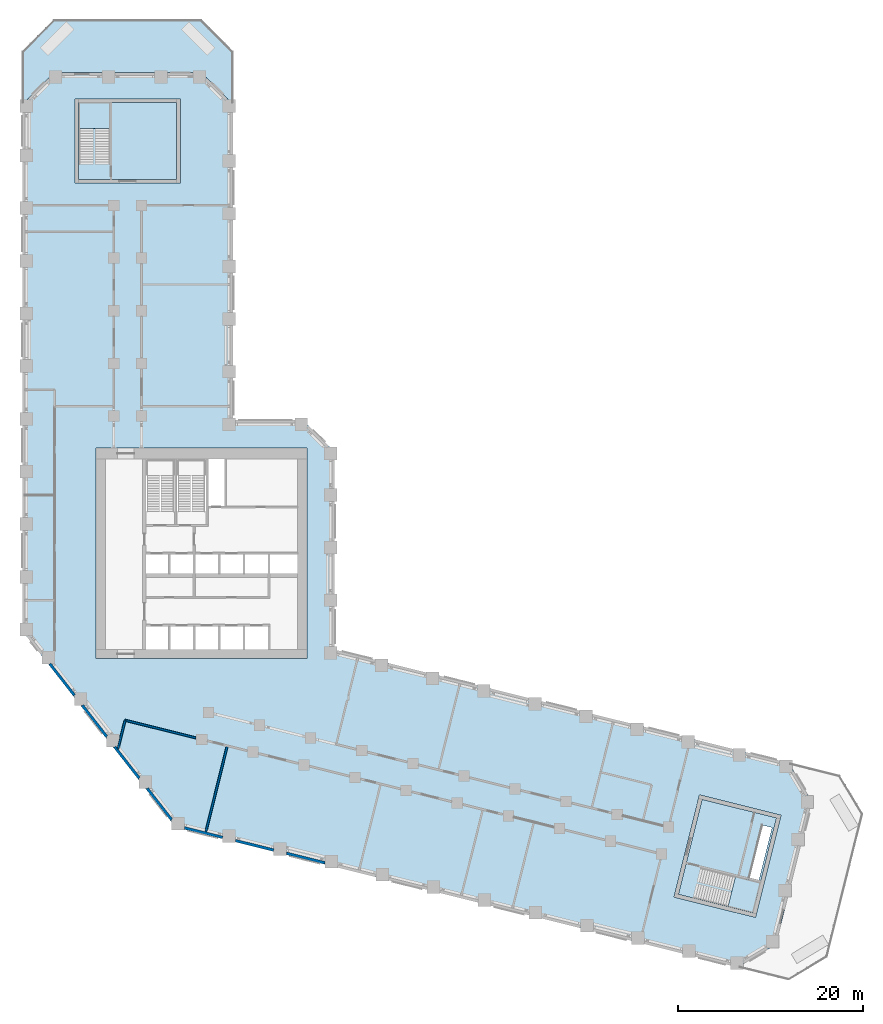
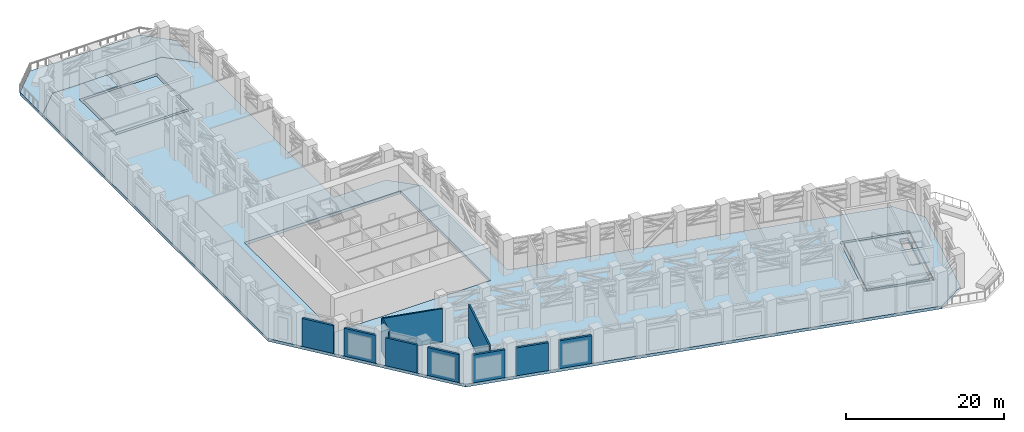
# One storey, part 6 of 14: 10 walls, 6 slabs, 2 elements without a shape of their own.
"""IFC4 building model written with IfcOpenShell, lengths in metres."""

import ifcopenshell
import ifcopenshell.guid

model = None  # the IFC model being written
_history = None  # IfcOwnerHistory: only IFC2X3 demands one
_inside = {}  # id of a spatial element -> (the spatial element, [elements in it])
_under = {}  # id of a project, library or spatial element -> (it, [spatial elements below it])
_declared = {}  # id of a project -> (the project, [libraries it declares])
_typed = {}  # id of a type object -> (the type object, [elements of that type])
_made_of = {}  # id of a material, layer set ... -> (it, [elements and type objects made of it])


def new_model(schema):
    """Start an empty IFC model of exactly this schema.

    Asked for "IFC4X3", IfcOpenShell would pick the latest addendum, in which some entities
    have other attributes; the version numbers below select the first issue.
    IFC2X3 requires an IfcOwnerHistory on every rooted entity: one is made here for all.
    """
    global model, _history
    if schema == "IFC4X3":
        model = ifcopenshell.file(schema_version=(4, 3, 0, 0))
    else:
        model = ifcopenshell.file(schema=schema)
    _inside.clear()
    _under.clear()
    _declared.clear()
    _typed.clear()
    _made_of.clear()
    _history = None
    if model.schema == "IFC2X3":
        org = make("IfcOrganization", Name="unknown")
        user = make(
            "IfcPersonAndOrganization",
            ThePerson=make("IfcPerson", FamilyName="unknown"),
            TheOrganization=org,
        )
        app = make(
            "IfcApplication",
            ApplicationDeveloper=org,
            Version="unknown",
            ApplicationFullName="unknown",
            ApplicationIdentifier="unknown",
        )
        _history = make(
            "IfcOwnerHistory",
            OwningUser=user,
            OwningApplication=app,
            ChangeAction="ADDED",
            CreationDate=0,
        )
    return model


def make(cls, **values):
    """One entity of the class cls with the attributes given. An attribute that is None is left unset."""
    return model.create_entity(
        cls, **{name: value for name, value in values.items() if value is not None}
    )


def rooted(cls, **values):
    """An entity with a GlobalId (a new one), such as an element, a storey or a relation."""
    return make(cls, GlobalId=ifcopenshell.guid.new(), OwnerHistory=_history, **values)


def si_unit(unit_type, name, prefix=None):
    """IfcSIUnit, for example si_unit("LENGTHUNIT", "METRE", prefix="MILLI")."""
    return make("IfcSIUnit", UnitType=unit_type, Prefix=prefix, Name=name)


def assignment(units):
    """IfcUnitAssignment: the units of a project."""
    return None if units is None else make("IfcUnitAssignment", Units=units)


def point(xyz):
    """IfcCartesianPoint."""
    return None if xyz is None else make("IfcCartesianPoint", Coordinates=xyz)


def direction(xyz):
    """IfcDirection."""
    return None if xyz is None else make("IfcDirection", DirectionRatios=xyz)


def frame(location, z_axis=None, x_axis=None):
    """IfcAxis2Placement3D, a coordinate frame: its origin and axes. An axis left out is left unset."""
    return make(
        "IfcAxis2Placement3D",
        Location=point(location),
        Axis=direction(z_axis),
        RefDirection=direction(x_axis),
    )


def frame_2d(location, x_axis=None):
    """IfcAxis2Placement2D, a coordinate frame in the plane: its origin and x axis."""
    return make(
        "IfcAxis2Placement2D", Location=point(location), RefDirection=direction(x_axis)
    )


def origin():
    """The frame at (0, 0, 0) with its axes left unset."""
    return frame((0.0, 0.0, 0.0))


def place(relative_to, where):
    """IfcLocalPlacement: puts the frame where relative to a parent placement (None: the world)."""
    return make(
        "IfcLocalPlacement", PlacementRelTo=relative_to, RelativePlacement=where
    )


def context(
    kind, dimensions, precision=None, world=None, true_north=None, identifier=None
):
    """IfcGeometricRepresentationContext, for example the 3D "Model" context."""
    return make(
        "IfcGeometricRepresentationContext",
        ContextIdentifier=identifier,
        ContextType=kind,
        CoordinateSpaceDimension=dimensions,
        Precision=precision,
        WorldCoordinateSystem=world,
        TrueNorth=true_north,
    )


def subcontext(parent, identifier, kind, view, scale=None):
    """IfcGeometricRepresentationSubContext, for example "Body" below "Model"."""
    return make(
        "IfcGeometricRepresentationSubContext",
        ContextIdentifier=identifier,
        ContextType=kind,
        ParentContext=parent,
        TargetScale=scale,
        TargetView=view,
    )


def project(units=None, contexts=None):
    """IfcProject with its units and contexts."""
    return rooted(
        "IfcProject",
        Name="project",
        RepresentationContexts=contexts,
        UnitsInContext=assignment(units),
    )


def spatial(cls, under=None, at=None, **own):
    """A site, building, storey or space (cls), placed at a placement, below another one or the project."""
    s = rooted(cls, ObjectPlacement=at, **own)
    if under is not None:
        _under.setdefault(under.id(), (under, []))[1].append(s)
    return s


def polyline(points):
    """IfcPolyline through the points."""
    return make("IfcPolyline", Points=[point(p) for p in points])


def profile(cls, at=None, kind="AREA", **sizes):
    """A parametric profile (cls). Its sizes go by their IFC names, for example OverallWidth=200.0."""
    return make(cls, ProfileType=kind, Position=at, **sizes)


def rectangle(**sizes):
    """IfcRectangleProfileDef."""
    return profile("IfcRectangleProfileDef", **sizes)


def outline(outer, holes=None, kind="AREA"):
    """IfcArbitraryClosedProfileDef: a profile drawn as a closed curve; with holes, ...WithVoids."""
    if holes is None:
        return make("IfcArbitraryClosedProfileDef", ProfileType=kind, OuterCurve=outer)
    return make(
        "IfcArbitraryProfileDefWithVoids",
        ProfileType=kind,
        OuterCurve=outer,
        InnerCurves=holes,
    )


def extrude(swept, where, along, depth):
    """IfcExtrudedAreaSolid: the profile swept, set in the frame where, extruded along a direction by depth."""
    return make(
        "IfcExtrudedAreaSolid",
        SweptArea=swept,
        Position=where,
        ExtrudedDirection=direction(along),
        Depth=depth,
    )


def shape(context_of_items, identifier, shape_type, items):
    """IfcShapeRepresentation: the items that make up one representation, for example the "Body"."""
    return make(
        "IfcShapeRepresentation",
        ContextOfItems=context_of_items,
        RepresentationIdentifier=identifier,
        RepresentationType=shape_type,
        Items=items,
    )


def material(Name=None, Category=None):
    """IfcMaterial."""
    return make("IfcMaterial", Name=Name, Category=Category)


def layer(
    of_material, thickness, ventilated=None, Name=None, Category=None, Priority=None
):
    """IfcMaterialLayer: one layer of a wall or slab, of a material (None: an air gap)."""
    return make(
        "IfcMaterialLayer",
        Material=of_material,
        LayerThickness=thickness,
        IsVentilated=ventilated,
        Name=Name,
        Category=Category,
        Priority=Priority,
    )


def layer_set(layers, Name=None):
    """IfcMaterialLayerSet."""
    return make("IfcMaterialLayerSet", MaterialLayers=layers, LayerSetName=Name)


def made_of(thing, what):
    """Note that an element or type object is made of a material, layer set ...; save() writes the relation."""
    if what is not None:
        _made_of.setdefault(what.id(), (what, []))[1].append(thing)
    return thing


def type_object(cls, material=None, **own):
    """A type object (cls), such as IfcWallType, which elements share."""
    return made_of(rooted(cls, **own), material)


def element(
    cls,
    number,
    at=None,
    inside=None,
    cuts=None,
    type_object=None,
    material=None,
    context=None,
    identifier="Body",
    shape_type=None,
    held_by="IfcProductDefinitionShape",
    body=None,
    shapes=None,
    **own,
):
    """One element of the class cls, such as IfcWall. Its Tag is "e" and its number.

    at: its placement. inside: the storey or other place that contains it. cuts: it is an
    opening in that element (IfcRelVoidsElement). A single representation is given by context,
    identifier, shape_type and body (its items); several are given by shapes. held_by: the class
    of the entity that holds the representations. save() writes the other relations.
    """
    e = rooted(cls, Tag="e%d" % number, ObjectPlacement=at, **own)
    if body is not None:
        shapes = [shape(context, identifier, shape_type, body)]
    if shapes is not None:
        e.Representation = make(held_by, Representations=shapes)
    if inside is not None:
        _inside.setdefault(inside.id(), (inside, []))[1].append(e)
    if cuts is not None:
        rooted(
            "IfcRelVoidsElement", RelatingBuildingElement=cuts, RelatedOpeningElement=e
        )
    if type_object is not None:
        _typed.setdefault(type_object.id(), (type_object, []))[1].append(e)
    return made_of(e, material)


def aggregate(whole, parts):
    """IfcRelAggregates: a whole, such as a stair, and the parts it consists of."""
    return rooted("IfcRelAggregates", RelatingObject=whole, RelatedObjects=parts)


def save(model, path):
    """Write the relations noted so far, then the file.

    IfcRelAggregates (storeys below a building ...), IfcRelContainedInSpatialStructure (elements
    in a storey), IfcRelDefinesByType, IfcRelAssociatesMaterial and IfcRelDeclares: one each for
    every whole, place, type object, material and project.
    """
    for whole, parts in _under.values():
        aggregate(whole, parts)
    for where, things in _inside.values():
        rooted(
            "IfcRelContainedInSpatialStructure",
            RelatedElements=things,
            RelatingStructure=where,
        )
    for kind, things in _typed.values():
        rooted("IfcRelDefinesByType", RelatedObjects=things, RelatingType=kind)
    for what, things in _made_of.values():
        rooted("IfcRelAssociatesMaterial", RelatedObjects=things, RelatingMaterial=what)
    for by, libraries in _declared.values():
        rooted("IfcRelDeclares", RelatingContext=by, RelatedDefinitions=libraries)
    model.write(path)


model = new_model("IFC4")

# Units and contexts
model_context = context("Model", 3, precision=1e-05, world=origin(), true_north=direction((0.0, 1.0)))
body_context = subcontext(model_context, "Body", "Model", "MODEL_VIEW")
ifc_project = project(units=[si_unit("LENGTHUNIT", "METRE"), si_unit("AREAUNIT", "SQUARE_METRE"), si_unit("VOLUMEUNIT", "CUBIC_METRE"), si_unit("PLANEANGLEUNIT", "RADIAN"), si_unit("MASSUNIT", "GRAM", prefix="KILO")], contexts=[model_context])

# Site, building, storey
site_placement = place(None, origin())
site = spatial("IfcSite", under=ifc_project, at=site_placement, CompositionType="ELEMENT")
building_placement = place(site_placement, origin())
building = spatial("IfcBuilding", under=site, at=building_placement, Name="Meshkara Civic Tower", CompositionType="ELEMENT")
storey_placement = place(building_placement, frame((0.0, 0.0, 91.800048828125)))
storey = spatial("IfcBuildingStorey", under=building, at=storey_placement, Name="L20", CompositionType="ELEMENT", Elevation=91.800048828125)

# Slabs
ifc_material_1 = material(Name="Concrete C40/50", Category="concrete")
ifc_layer_1 = layer(ifc_material_1, 0.449951171875)
ifc_layer_set_1 = layer_set([ifc_layer_1], Name="Core floor slab 450 C40/50")
slab_type_1 = type_object("IfcSlabType", Name="Core floor slab 450 C40/50", PredefinedType="FLOOR", material=ifc_layer_set_1)
slab_1_placement = place(storey_placement, frame((0.0, 0.0, -0.449951171875)))
element("IfcSlab", 1, at=slab_1_placement, inside=storey, type_object=slab_type_1, Name="Core floor EA", PredefinedType="FLOOR", context=body_context, shape_type="SweptSolid", body=[
    extrude(outline(polyline([(6.10009765625, 65.969970703125), (16.699951171875, 65.969970703125), (16.699951171875, 74.27001953125), (6.10009765625, 74.27001953125), (6.10009765625, 65.969970703125)])), origin(), (0.0, 0.0, 1.0), 0.449951171875),
])
slab_2_placement = place(storey_placement, frame((0.0, 0.0, -0.449951171875)))
element("IfcSlab", 2, at=slab_2_placement, inside=storey, type_object=slab_type_1, Name="Core floor EB", PredefinedType="FLOOR", context=body_context, shape_type="SweptSolid", body=[
    extrude(outline(polyline([(73.581298828125, -1.134521484375), (81.634521484375, -3.142578125), (79.0703125, -13.427734375), (71.016845703125, -11.419677734375), (73.581298828125, -1.134521484375)]), holes=[polyline([(78.64111328125, -9.60986328125), (79.727783203125, -9.880859375), (81.149658203125, -4.177978515625), (80.06298828125, -3.906982421875), (78.64111328125, -9.60986328125)])]), origin(), (0.0, 0.0, 1.0), 0.449951171875),
])

# Stair, slab
ifc_material_2 = material(Name="Precast concrete C40/50", Category="concrete")
stair_type = type_object("IfcStairType", Name="Exit stair half-turn 30 risers 1600 precast", PredefinedType="HALF_TURN_STAIR", material=ifc_material_2)
stair_1_placement = place(storey_placement, origin())
stair_1 = element("IfcStair", 3, at=stair_1_placement, inside=storey, type_object=stair_type, Name="L20 exit stair A from L20", PredefinedType="HALF_TURN_STAIR")
ifc_material_3 = material(Name="Precast concrete C40/50", Category="concrete")
ifc_layer_2 = layer(ifc_material_3, 0.199951171875)
ifc_layer_set_2 = layer_set([ifc_layer_2], Name="Exit stair landing 200")
slab_type_2 = type_object("IfcSlabType", Name="Exit stair landing 200", PredefinedType="LANDING", material=ifc_layer_set_2)
slab_3_placement = place(storey_placement, frame((0.0, 0.0, 2.5)))
slab_3 = element("IfcSlab", 4, at=slab_3_placement, type_object=slab_type_2, Name="ESA2 landing 1", PredefinedType="LANDING", context=body_context, shape_type="SweptSolid", body=[
    extrude(outline(polyline([(9.5, 71.488525390625), (9.5, 74.27001953125), (6.10009765625, 74.27001953125), (6.10009765625, 71.488525390625), (9.5, 71.488525390625)])), origin(), (0.0, 0.0, 1.0), 0.199951171875),
])
aggregate(stair_1, [slab_3])

stair_2_placement = place(storey_placement, origin())
stair_2 = element("IfcStair", 5, at=stair_2_placement, inside=storey, type_object=stair_type, Name="L20 exit stair B from L20", PredefinedType="HALF_TURN_STAIR")
slab_4_placement = place(storey_placement, frame((0.0, 0.0, 2.5)))
slab_4 = element("IfcSlab", 6, at=slab_4_placement, type_object=slab_type_2, Name="ESB2 landing 1", PredefinedType="LANDING", context=body_context, shape_type="SweptSolid", body=[
    extrude(outline(polyline([(76.370849609375, -12.755615234375), (79.06982421875, -13.428955078125), (79.89306640625, -10.12890625), (77.194091796875, -9.45556640625), (76.370849609375, -12.755615234375)])), origin(), (0.0, 0.0, 1.0), 0.199951171875),
])
aggregate(stair_2, [slab_4])

# Slabs
ifc_material_4 = material(Name="Concrete C50", Category="concrete")
ifc_layer_3 = layer(ifc_material_4, 0.449951171875)
ifc_layer_set_3 = layer_set([ifc_layer_3], Name="Terrace slab 450 C50")
slab_type_3 = type_object("IfcSlabType", Name="Terrace slab 450 C50", PredefinedType="ROOF", material=ifc_layer_set_3)
slab_5_placement = place(storey_placement, frame((0.0, 0.0, -0.449951171875)))
element("IfcSlab", 7, at=slab_5_placement, inside=storey, type_object=slab_type_3, Name="Terrace slab L20", PredefinedType="ROOF", context=body_context, shape_type="SweptSolid", body=[
    extrude(outline(polyline([(3.419921875, 83.219970703125), (19.3798828125, 83.219970703125), (22.800048828125, 79.800048828125), (22.800048828125, 74.10009765625), (19.3798828125, 77.52001953125), (3.419921875, 77.52001953125), (0.0, 74.10009765625), (0.0, 79.800048828125), (3.419921875, 83.219970703125)])), origin(), (0.0, 0.0, 1.0), 0.449951171875),
])
ifc_material_5 = material(Name="Concrete C60", Category="concrete")
ifc_layer_4 = layer(ifc_material_5, 0.449951171875)
ifc_layer_set_4 = layer_set([ifc_layer_4], Name="Transfer plate 450 C60")
slab_type_4 = type_object("IfcSlabType", Name="Transfer plate 450 C60", PredefinedType="FLOOR", material=ifc_layer_set_4)
slab_6_placement = place(storey_placement, frame((0.0, 0.0, -0.449951171875)))
element("IfcSlab", 8, at=slab_6_placement, inside=storey, type_object=slab_type_4, Name="Transfer plate L20", PredefinedType="FLOOR", context=body_context, shape_type="SweptSolid", body=[
    extrude(outline(polyline([(81.574951171875, -16.81396484375), (77.429931640625, -19.304931640625), (16.592041015625, -4.136962890625), (0.0, 17.10009765625), (0.0, 74.10009765625), (3.419921875, 77.52001953125), (19.3798828125, 77.52001953125), (22.800048828125, 74.10009765625), (22.800048828125, 39.89990234375), (30.3798828125, 39.89990234375), (33.800048828125, 36.47998046875), (33.800048828125, 15.071044921875), (82.945068359375, 2.81689453125), (85.43603515625, -1.327880859375), (81.574951171875, -16.81396484375)]), holes=[polyline([(79.362060546875, -13.9130859375), (82.1201171875, -2.85107421875), (73.2900390625, -0.64990234375), (70.531982421875, -11.7109375), (79.362060546875, -13.9130859375)]), polyline([(8.0, 14.10009765625), (30.800048828125, 14.10009765625), (30.800048828125, 36.89990234375), (8.0, 36.89990234375), (8.0, 14.10009765625)]), polyline([(5.699951171875, 74.669921875), (5.699951171875, 65.570068359375), (17.10009765625, 65.570068359375), (17.10009765625, 74.669921875), (5.699951171875, 74.669921875)])]), origin(), (0.0, 0.0, 1.0), 0.449951171875),
])

# Walls
ifc_material_6 = material(Name="Insulated infill panel with bronze anodised aluminium cladding", Category="aluminium")
ifc_layer_5 = layer(ifc_material_6, 0.300048828125)
ifc_layer_set_5 = layer_set([ifc_layer_5], Name="EXTERNAL INFILL WALL 300")
wall_type_1 = type_object("IfcWallType", Name="EXTERNAL INFILL WALL 300", PredefinedType="SOLIDWALL", material=ifc_layer_set_5)
wall_1_placement = place(storey_placement, frame((2.98095703125, 13.529052734375, 0.0), z_axis=(0.0, 0.0, 1.0), x_axis=(0.615620859518, -0.788042484468, 0.0)))
element("IfcWall", 9, at=wall_1_placement, inside=storey, type_object=wall_type_1, Name="External wall", PredefinedType="SOLIDWALL", context=body_context, shape_type="SweptSolid", body=[
    extrude(rectangle(XDim=4.291748046875, YDim=0.300048828125, at=frame_2d((2.14599609375, 0.0))), origin(), (0.0, 0.0, 1.0), 4.300048828125),
])
wall_2_placement = place(storey_placement, frame((6.489990234375, 9.037109375, 0.0), z_axis=(0.0, 0.0, 1.0), x_axis=(0.615651766871, -0.788018338586, 0.0)))
element("IfcWall", 10, at=wall_2_placement, inside=storey, type_object=wall_type_1, Name="External wall", PredefinedType="SOLIDWALL", context=body_context, shape_type="SweptSolid", body=[
    extrude(rectangle(XDim=4.293212890625, YDim=0.300048828125, at=frame_2d((2.146484375, 0.0))), origin(), (0.0, 0.0, 1.0), 4.300048828125),
])
wall_3_placement = place(storey_placement, frame((10.0, 4.544921875, 0.0), z_axis=(0.0, 0.0, 1.0), x_axis=(0.615648457815, -0.788020923827, 0.0)))
element("IfcWall", 11, at=wall_3_placement, inside=storey, type_object=wall_type_1, Name="External wall", PredefinedType="SOLIDWALL", context=body_context, shape_type="SweptSolid", body=[
    extrude(rectangle(XDim=4.29150390625, YDim=0.300048828125, at=frame_2d((2.145751953125, 0.0))), origin(), (0.0, 0.0, 1.0), 4.300048828125),
])
wall_4_placement = place(storey_placement, frame((13.508056640625, 0.053955078125, 0.0), z_axis=(0.0, 0.0, 1.0), x_axis=(0.615616451599, -0.788045927926, 0.0)))
element("IfcWall", 12, at=wall_4_placement, inside=storey, type_object=wall_type_1, Name="External wall", PredefinedType="SOLIDWALL", context=body_context, shape_type="SweptSolid", body=[
    extrude(rectangle(XDim=4.29296875, YDim=0.300048828125, at=frame_2d((2.146484375, 0.0))), origin(), (0.0, 0.0, 1.0), 4.300048828125),
])
wall_5_placement = place(storey_placement, frame((17.551025390625, -4.221923828125, 0.0), z_axis=(0.0, 0.0, 1.0), x_axis=(0.970344570435, -0.24172590806, 0.0)))
element("IfcWall", 13, at=wall_5_placement, inside=storey, type_object=wall_type_1, Name="External wall", PredefinedType="SOLIDWALL", context=body_context, shape_type="SweptSolid", body=[
    extrude(rectangle(XDim=4.257080078125, YDim=0.300048828125, at=frame_2d((2.12841796875, 0.0))), origin(), (0.0, 0.0, 1.0), 4.300048828125),
])
wall_6_placement = place(storey_placement, frame((23.08203125, -5.60107421875, 0.0), z_axis=(0.0, 0.0, 1.0), x_axis=(0.970344618147, -0.241725716533, 0.0)))
element("IfcWall", 14, at=wall_6_placement, inside=storey, type_object=wall_type_1, Name="External wall", PredefinedType="SOLIDWALL", context=body_context, shape_type="SweptSolid", body=[
    extrude(rectangle(XDim=4.256103515625, YDim=0.300048828125, at=frame_2d((2.1279296875, 0.0))), origin(), (0.0, 0.0, 1.0), 4.300048828125),
])
wall_7_placement = place(storey_placement, frame((28.612060546875, -6.97900390625, 0.0), z_axis=(0.0, 0.0, 1.0), x_axis=(0.970290742877, -0.241941882045, 0.0)))
element("IfcWall", 15, at=wall_7_placement, inside=storey, type_object=wall_type_1, Name="External wall", PredefinedType="SOLIDWALL", context=body_context, shape_type="SweptSolid", body=[
    extrude(rectangle(XDim=4.25732421875, YDim=0.300048828125, at=frame_2d((2.128662109375, 0.0))), origin(), (0.0, 0.0, 1.0), 4.300048828125),
])
ifc_material_7 = material(Name="Fire-rated wall 200")
ifc_layer_6 = layer(ifc_material_7, 0.199951171875)
ifc_layer_set_6 = layer_set([ifc_layer_6], Name="Fire-rated wall 200")
wall_type_2 = type_object("IfcWallType", Name="Fire-rated wall 200", PredefinedType="PARTITIONING", material=ifc_layer_set_6)
wall_8_placement = place(storey_placement, frame((10.3515625, 4.312744140625, 0.0), z_axis=(0.0, 0.0, 1.0), x_axis=(0.241748498686, 0.970338942526, 0.0)))
element("IfcWall", 16, at=wall_8_placement, inside=storey, type_object=wall_type_2, Name="L20-R008", PredefinedType="PARTITIONING", context=body_context, shape_type="SweptSolid", body=[
    extrude(rectangle(XDim=3.21142578125, YDim=0.199951171875, at=frame_2d((1.605712890625, 0.0))), origin(), (0.0, 0.0, 1.0), 5.099853515625),
])
wall_9_placement = place(storey_placement, frame((11.1279296875, 7.428955078125, 0.0), z_axis=(0.0, 0.0, 1.0), x_axis=(0.970289363722, -0.241947412982, 0.0)))
element("IfcWall", 17, at=wall_9_placement, inside=storey, type_object=wall_type_2, Name="L20-R009", PredefinedType="PARTITIONING", context=body_context, shape_type="SweptSolid", body=[
    extrude(rectangle(XDim=7.9111328125, YDim=0.199951171875, at=frame_2d((3.95556640625, 0.0))), origin(), (0.0, 0.0, 1.0), 5.099853515625),
])
wall_10_placement = place(storey_placement, frame((19.862060546875, -4.663330078125, 0.0), z_axis=(0.0, 0.0, 1.0), x_axis=(0.241905276096, 0.970299869833, 0.0)))
element("IfcWall", 18, at=wall_10_placement, inside=storey, type_object=wall_type_2, Name="L20-R042", PredefinedType="PARTITIONING", context=body_context, shape_type="SweptSolid", body=[
    extrude(rectangle(XDim=9.569580078125, YDim=0.199951171875, at=frame_2d((4.78466796875, 0.0))), origin(), (0.0, 0.0, 1.0), 5.099853515625),
])

save(model, "model.ifc")
